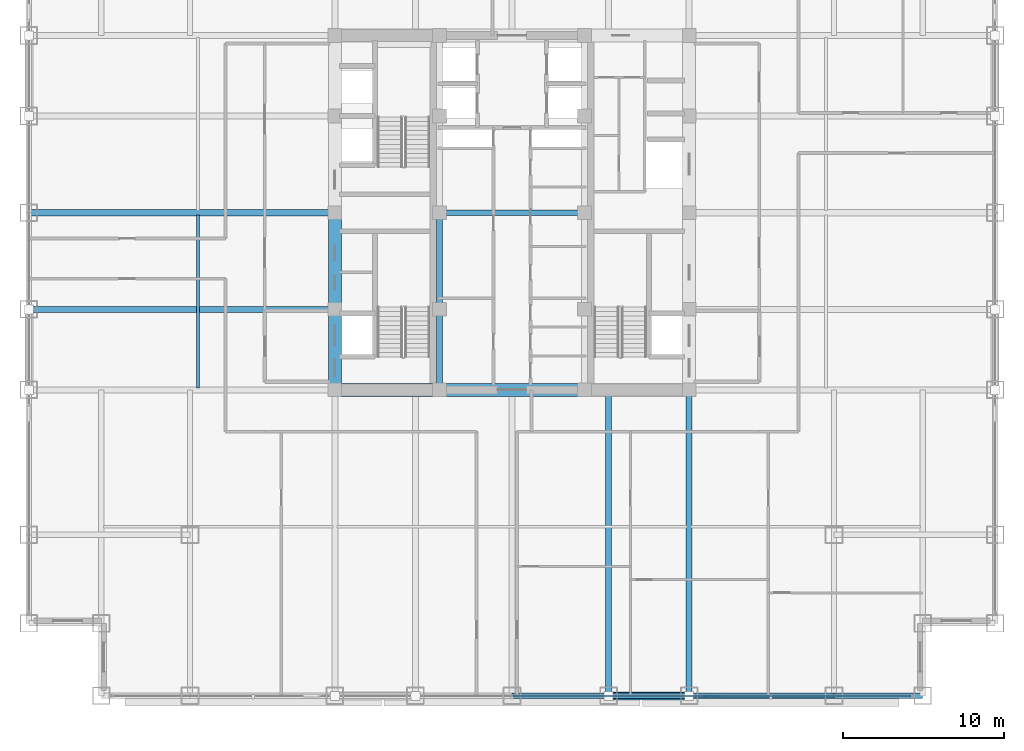
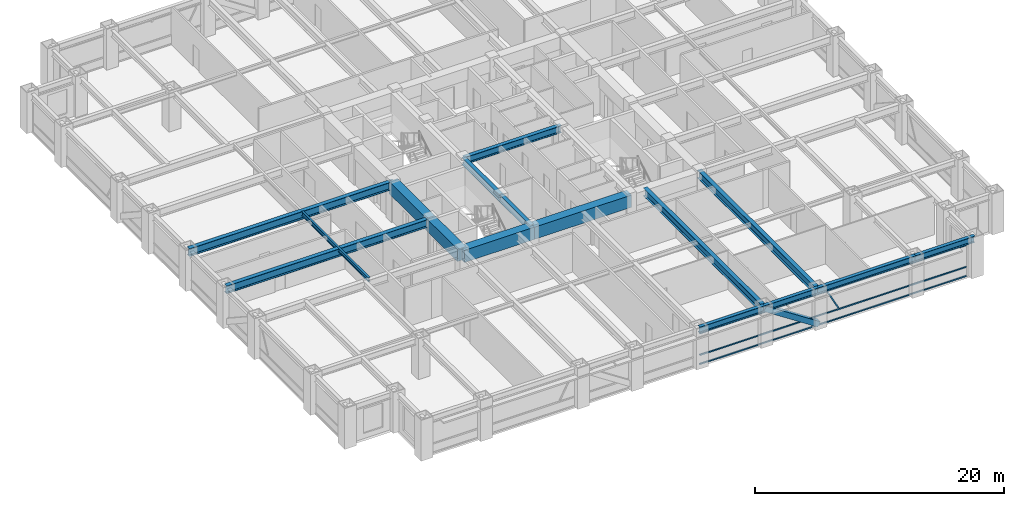
# One storey, part 7 of 28: 16 beams, 5 members, 1 element without a shape of its own.
"""IFC4 building model written with IfcOpenShell, lengths in metres."""

from ifc_helpers import new_model, si_unit, direction, frame, origin, origin_2d, place, context, subcontext, project, spatial, rectangle, hollow_rectangle, i_section, extrude, source, transform, mapped, material, material_profile, profile_set, type_object, element, aggregate, save


model = new_model("IFC4")

# Units and contexts
model_context = context("Model", 3, precision=1e-05, world=origin(), true_north=direction((0.0, 1.0)))
body_context = subcontext(model_context, "Body", "Model", "MODEL_VIEW")
ifc_project = project(units=[si_unit("LENGTHUNIT", "METRE"), si_unit("AREAUNIT", "SQUARE_METRE"), si_unit("VOLUMEUNIT", "CUBIC_METRE"), si_unit("PLANEANGLEUNIT", "RADIAN"), si_unit("MASSUNIT", "GRAM", prefix="KILO")], contexts=[model_context])

# Site, building, storey
site_placement = place(None, origin())
site = spatial("IfcSite", under=ifc_project, at=site_placement, CompositionType="ELEMENT")
building_placement = place(site_placement, origin())
building = spatial("IfcBuilding", under=site, at=building_placement, Name="Khorayat Bourse Tower", CompositionType="ELEMENT")
storey_placement = place(building_placement, frame((0.0, 0.0, 187.10009765625)))
storey = spatial("IfcBuildingStorey", under=building, at=storey_placement, Name="L43", CompositionType="ELEMENT", Elevation=187.10009765625)

# Beams
ifc_material_1 = material(Name="Concrete C72/90", Category="concrete")
ifc_material_profile_1 = material_profile(ifc_material_1, rectangle(XDim=0.800048828125, YDim=1.199951171875, at=origin_2d()), Name="RC 800x1200")
ifc_profile_set_1 = profile_set([ifc_material_profile_1], Name="Concrete C72/90")
beam_type_1 = type_object("IfcBeamType", Name="BM-COUP-1200", PredefinedType="BEAM", material=ifc_profile_set_1)
shared_shape_1 = source(origin(), body_context, "Body", "SweptSolid", [
    extrude(rectangle(XDim=0.800048828125, YDim=1.199951171875, at=origin_2d()), origin(), (0.0, 0.0, 1.0), 5.0),
])
beam_1_placement = place(storey_placement, frame((-11.0, -11.0, 3.179931640625), z_axis=(0.0, 1.0, 0.0), x_axis=(-1.0, 0.0, 0.0)))
element("IfcBeam", 1, at=beam_1_placement, inside=storey, type_object=beam_type_1, Name="L43 BM-COUP-1200 BM-L43-CRX-01", PredefinedType="BEAM", context=body_context, shape_type="MappedRepresentation", body=[
    mapped(shared_shape_1, transform((0.0, 0.0, 0.0), scale=1.0)),
])
shared_shape_2 = source(origin(), body_context, "Body", "SweptSolid", [
    extrude(rectangle(XDim=0.800048828125, YDim=1.199951171875, at=origin_2d()), origin(), (0.0, 0.0, 1.0), 6.0),
])
beam_2_placement = place(storey_placement, frame((-11.0, -6.0, 3.179931640625), z_axis=(0.0, 1.0, 0.0), x_axis=(-1.0, 0.0, 0.0)))
element("IfcBeam", 2, at=beam_2_placement, inside=storey, type_object=beam_type_1, Name="L43 BM-COUP-1200 BM-L43-CRX-02", PredefinedType="BEAM", context=body_context, shape_type="MappedRepresentation", body=[
    mapped(shared_shape_2, transform((0.0, 0.0, 0.0), scale=1.0)),
])
ifc_material_2 = material(Name="Steel ASTM A992 Grade 50", Category="steel")
ifc_material_profile_2 = material_profile(ifc_material_2, i_section(OverallWidth=0.35498046875, OverallDepth=0.695068359375, WebThickness=0.015380859375, FlangeThickness=0.02490234375, FilletRadius=0.01806640625, at=origin_2d()), Name="W690X217")
ifc_profile_set_2 = profile_set([ifc_material_profile_2], Name="Steel ASTM A992 Grade 50")
beam_type_2 = type_object("IfcBeamType", Name="BM-GIRD-690", PredefinedType="BEAM", material=ifc_profile_set_2)
shared_shape_3 = source(origin(), body_context, "Body", "SweptSolid", [
    extrude(i_section(OverallWidth=0.35498046875, OverallDepth=0.695068359375, WebThickness=0.015380859375, FlangeThickness=0.02490234375, FilletRadius=0.01806640625, at=origin_2d()), origin(), (0.0, 0.0, 1.0), 5.0),
])
beam_3_placement = place(storey_placement, frame((-4.5, -11.0, 3.432373046875), z_axis=(0.0, 1.0, 0.0), x_axis=(-1.0, 0.0, 0.0)))
element("IfcBeam", 3, at=beam_3_placement, inside=storey, type_object=beam_type_2, Name="L43 BM-GIRD-690 BM-L43-CRX-05", PredefinedType="BEAM", context=body_context, shape_type="MappedRepresentation", body=[
    mapped(shared_shape_3, transform((0.0, 0.0, 0.0), scale=1.0)),
])
shared_shape_4 = source(origin(), body_context, "Body", "SweptSolid", [
    extrude(i_section(OverallWidth=0.35498046875, OverallDepth=0.695068359375, WebThickness=0.015380859375, FlangeThickness=0.02490234375, FilletRadius=0.01806640625, at=origin_2d()), origin(), (0.0, 0.0, 1.0), 6.0),
])
beam_4_placement = place(storey_placement, frame((-4.5, -6.0, 3.432373046875), z_axis=(0.0, 1.0, 0.0), x_axis=(-1.0, 0.0, 0.0)))
element("IfcBeam", 4, at=beam_4_placement, inside=storey, type_object=beam_type_2, Name="L43 BM-GIRD-690 BM-L43-CRX-06", PredefinedType="BEAM", context=body_context, shape_type="MappedRepresentation", body=[
    mapped(shared_shape_4, transform((0.0, 0.0, 0.0), scale=1.0)),
])
shared_shape_5 = source(origin(), body_context, "Body", "SweptSolid", [
    extrude(rectangle(XDim=0.800048828125, YDim=1.199951171875, at=origin_2d()), origin(), (0.0, 0.0, 1.0), 6.5),
])
beam_5_placement = place(storey_placement, frame((-11.0, -11.0, 3.179931640625), z_axis=(1.0, 0.0, 0.0), x_axis=(0.0, 1.0, 0.0)))
element("IfcBeam", 5, at=beam_5_placement, inside=storey, type_object=beam_type_1, Name="L43 BM-COUP-1200 BM-L43-CRY-17", PredefinedType="BEAM", context=body_context, shape_type="MappedRepresentation", body=[
    mapped(shared_shape_5, transform((0.0, 0.0, 0.0), scale=1.0)),
])
shared_shape_6 = source(origin(), body_context, "Body", "SweptSolid", [
    extrude(rectangle(XDim=0.800048828125, YDim=1.199951171875, at=origin_2d()), origin(), (0.0, 0.0, 1.0), 9.0),
])
beam_6_placement = place(storey_placement, frame((-4.5, -11.0, 3.179931640625), z_axis=(1.0, 0.0, 0.0), x_axis=(0.0, 1.0, 0.0)))
element("IfcBeam", 6, at=beam_6_placement, inside=storey, type_object=beam_type_1, Name="L43 BM-COUP-1200 BM-L43-CRY-18", PredefinedType="BEAM", context=body_context, shape_type="MappedRepresentation", body=[
    mapped(shared_shape_6, transform((0.0, 0.0, 0.0), scale=1.0)),
])
shared_shape_7 = source(origin(), body_context, "Body", "SweptSolid", [
    extrude(i_section(OverallWidth=0.35498046875, OverallDepth=0.695068359375, WebThickness=0.015380859375, FlangeThickness=0.02490234375, FilletRadius=0.01806640625, at=origin_2d()), origin(), (0.0, 0.0, 1.0), 9.0),
])
beam_7_placement = place(storey_placement, frame((-4.5, 0.0, 3.432373046875), z_axis=(1.0, 0.0, 0.0), x_axis=(0.0, 1.0, 0.0)))
element("IfcBeam", 7, at=beam_7_placement, inside=storey, type_object=beam_type_2, Name="L43 BM-GIRD-690 BM-L43-CRY-23", PredefinedType="BEAM", context=body_context, shape_type="MappedRepresentation", body=[
    mapped(shared_shape_7, transform((0.0, 0.0, 0.0), scale=1.0)),
])
ifc_material_profile_3 = material_profile(ifc_material_2, i_section(OverallWidth=0.381103515625, OverallDepth=0.77294921875, WebThickness=0.0166015625, FlangeThickness=0.027587890625, FilletRadius=0.01806640625, at=origin_2d()), Name="W760X257")
ifc_profile_set_3 = profile_set([ifc_material_profile_3], Name="Steel ASTM A992 Grade 50")
beam_type_3 = type_object("IfcBeamType", Name="BM-GIRD-760", PredefinedType="BEAM", material=ifc_profile_set_3)
shared_shape_8 = source(origin(), body_context, "Body", "SweptSolid", [
    extrude(i_section(OverallWidth=0.381103515625, OverallDepth=0.77294921875, WebThickness=0.0166015625, FlangeThickness=0.027587890625, FilletRadius=0.01806640625, at=origin_2d()), origin(), (0.0, 0.0, 1.0), 19.0),
])
for number, where, z_axis, x_axis, name in (
    (8, (6.0, -30.0, 3.393310546875), (0.0, 1.0, 0.0), (-1.0, 0.0, 0.0), "L43 BM-GIRD-760 BM-L43-RADY-071"),
    (9, (11.0, -30.0, 3.393310546875), (0.0, 1.0, 0.0), (-1.0, 0.0, 0.0), "L43 BM-GIRD-760 BM-L43-RADY-073"),
    (10, (-30.0, -6.0, 3.393310546875), (1.0, 0.0, 0.0), (0.0, 1.0, 0.0), "L43 BM-GIRD-760 BM-L43-RADX-077"),
    (11, (-30.0, 0.0, 3.393310546875), (1.0, 0.0, 0.0), (0.0, 1.0, 0.0), "L43 BM-GIRD-760 BM-L43-RADX-079"),
):
    element("IfcBeam", number, at=place(storey_placement, frame(where, z_axis=z_axis, x_axis=x_axis)), inside=storey, type_object=beam_type_3, Name=name, PredefinedType="BEAM", context=body_context, shape_type="MappedRepresentation", body=[
        mapped(shared_shape_8, transform((0.0, 0.0, 0.0), scale=1.0)),
    ])
ifc_material_profile_4 = material_profile(ifc_material_2, i_section(OverallWidth=0.180908203125, OverallDepth=0.4169921875, WebThickness=0.010986328125, FlangeThickness=0.018310546875, FilletRadius=0.011962890625, at=origin_2d()), Name="W410X85")
ifc_profile_set_4 = profile_set([ifc_material_profile_4], Name="Steel ASTM A992 Grade 50")
beam_type_4 = type_object("IfcBeamType", Name="BM-JOIST-410", PredefinedType="JOIST", material=ifc_profile_set_4)
shared_shape_9 = source(origin(), body_context, "Body", "SweptSolid", [
    extrude(i_section(OverallWidth=0.180908203125, OverallDepth=0.4169921875, WebThickness=0.010986328125, FlangeThickness=0.018310546875, FilletRadius=0.011962890625, at=origin_2d()), origin(), (0.0, 0.0, 1.0), 10.740234375),
])
beam_8_placement = place(storey_placement, frame((-19.5, -10.8701171875, 3.5712890625), z_axis=(0.0, 1.0, 0.0), x_axis=(-1.0, 0.0, 0.0)))
element("IfcBeam", 12, at=beam_8_placement, inside=storey, type_object=beam_type_4, Name="L43 BM-JOIST-410 BM-L43-JSTY-102", PredefinedType="JOIST", context=body_context, shape_type="MappedRepresentation", body=[
    mapped(shared_shape_9, transform((0.0, 0.0, 0.0), scale=1.0)),
])
ifc_material_profile_5 = material_profile(ifc_material_2, i_section(OverallWidth=0.324951171875, OverallDepth=0.615966796875, WebThickness=0.013916015625, FlangeThickness=0.021484375, FilletRadius=0.01611328125, at=origin_2d()), Name="W610X174")
ifc_profile_set_5 = profile_set([ifc_material_profile_5], Name="Steel ASTM A992 Grade 50")
beam_type_5 = type_object("IfcBeamType", Name="BM-SPAN-610", PredefinedType="SPANDREL", material=ifc_profile_set_5)
shared_shape_10 = source(origin(), body_context, "Body", "SweptSolid", [
    extrude(i_section(OverallWidth=0.324951171875, OverallDepth=0.615966796875, WebThickness=0.013916015625, FlangeThickness=0.021484375, FilletRadius=0.01611328125, at=origin_2d()), origin(), (0.0, 0.0, 1.0), 5.5),
])
beam_9_placement = place(storey_placement, frame((20.0, -30.0, 3.471923828125), z_axis=(1.0, 0.0, 0.0), x_axis=(0.0, 1.0, 0.0)))
element("IfcBeam", 13, at=beam_9_placement, inside=storey, type_object=beam_type_5, Name="L43 BM-SPAN-610 BM-L43-SPN-031", PredefinedType="SPANDREL", context=body_context, shape_type="MappedRepresentation", body=[
    mapped(shared_shape_10, transform((0.0, 0.0, 0.0), scale=1.0)),
])
shared_shape_11 = source(origin(), body_context, "Body", "SweptSolid", [
    extrude(i_section(OverallWidth=0.324951171875, OverallDepth=0.615966796875, WebThickness=0.013916015625, FlangeThickness=0.021484375, FilletRadius=0.01611328125, at=origin_2d()), origin(), (0.0, 0.0, 1.0), 9.0),
])
beam_10_placement = place(storey_placement, frame((11.0, -30.0, 3.471923828125), z_axis=(1.0, 0.0, 0.0), x_axis=(0.0, 1.0, 0.0)))
element("IfcBeam", 14, at=beam_10_placement, inside=storey, type_object=beam_type_5, Name="L43 BM-SPAN-610 BM-L43-SPN-030", PredefinedType="SPANDREL", context=body_context, shape_type="MappedRepresentation", body=[
    mapped(shared_shape_11, transform((0.0, 0.0, 0.0), scale=1.0)),
])
shared_shape_12 = source(origin(), body_context, "Body", "SweptSolid", [
    extrude(i_section(OverallWidth=0.324951171875, OverallDepth=0.615966796875, WebThickness=0.013916015625, FlangeThickness=0.021484375, FilletRadius=0.01611328125, at=origin_2d()), origin(), (0.0, 0.0, 1.0), 5.0),
])
beam_11_placement = place(storey_placement, frame((6.0, -30.0, 3.471923828125), z_axis=(1.0, 0.0, 0.0), x_axis=(0.0, 1.0, 0.0)))
element("IfcBeam", 15, at=beam_11_placement, inside=storey, type_object=beam_type_5, Name="L43 BM-SPAN-610 BM-L43-SPN-029", PredefinedType="SPANDREL", context=body_context, shape_type="MappedRepresentation", body=[
    mapped(shared_shape_12, transform((0.0, 0.0, 0.0), scale=1.0)),
])
shared_shape_13 = source(origin(), body_context, "Body", "SweptSolid", [
    extrude(i_section(OverallWidth=0.324951171875, OverallDepth=0.615966796875, WebThickness=0.013916015625, FlangeThickness=0.021484375, FilletRadius=0.01611328125, at=origin_2d()), origin(), (0.0, 0.0, 1.0), 6.0),
])
beam_12_placement = place(storey_placement, frame((0.0, -30.0, 3.471923828125), z_axis=(1.0, 0.0, 0.0), x_axis=(0.0, 1.0, 0.0)))
element("IfcBeam", 16, at=beam_12_placement, inside=storey, type_object=beam_type_5, Name="L43 BM-SPAN-610 BM-L43-SPN-028", PredefinedType="SPANDREL", context=body_context, shape_type="MappedRepresentation", body=[
    mapped(shared_shape_13, transform((0.0, 0.0, 0.0), scale=1.0)),
])

# Member
ifc_material_3 = material(Name="Steel EN 10025-4 S460M", Category="steel")
ifc_material_profile_6 = material_profile(ifc_material_3, hollow_rectangle(XDim=0.5, YDim=0.5, WallThickness=0.028076171875, at=origin_2d()), Name="HSS 500x500x28")
ifc_profile_set_6 = profile_set([ifc_material_profile_6], Name="Steel EN 10025-4 S460M")
member_type_1 = type_object("IfcMemberType", Name="MBR-TUBE-500", PredefinedType="BRACE", material=ifc_profile_set_6)
shared_shape_14 = source(origin(), body_context, "Body", "SweptSolid", [
    extrude(hollow_rectangle(XDim=0.5, YDim=0.5, WallThickness=0.028076171875, at=origin_2d()), origin(), (0.0, 0.0, 1.0), 5.979736328125),
])
member_1_placement = place(storey_placement, frame((6.0, -30.0, 3.52978515625), z_axis=(0.836160261256, 0.0, -0.548485202623), x_axis=(0.0, 1.0, 0.0)))
element("IfcMember", 17, at=member_1_placement, inside=storey, type_object=member_type_1, Name="L43 Perimeter Tube Brace 02", PredefinedType="BRACE", context=body_context, shape_type="MappedRepresentation", body=[
    mapped(shared_shape_14, transform((0.0, 0.0, 0.0), scale=1.0)),
])

# Curtain wall, members
ifc_material_4 = material(Name="Aluminium EN AW-6063 T6", Category="aluminium")
curtain_wall_type = type_object("IfcCurtainWallType", Name="CW-SYS-03", PredefinedType="NOTDEFINED", material=ifc_material_4)
curtain_wall_placement = place(storey_placement, origin())
curtain_wall = element("IfcCurtainWall", 18, at=curtain_wall_placement, inside=storey, type_object=curtain_wall_type, Name="L43 Curtain Wall CW-L43-S1", PredefinedType="NOTDEFINED")
ifc_material_profile_7 = material_profile(ifc_material_4, hollow_rectangle(XDim=0.1201171875, YDim=0.1201171875, WallThickness=0.0048828125, at=origin_2d()), Name="ALU 120x120x5")
ifc_profile_set_7 = profile_set([ifc_material_profile_7], Name="Aluminium EN AW-6063 T6")
member_type_2 = type_object("IfcMemberType", Name="CWM-DIAG-120", PredefinedType="MULLION", material=ifc_profile_set_7)
shared_shape_15 = source(origin(), body_context, "Body", "SweptSolid", [
    extrude(hollow_rectangle(XDim=0.1201171875, YDim=0.1201171875, WallThickness=0.0048828125, at=origin_2d()), origin(), (0.0, 0.0, 1.0), 2.079345703125),
])
member_2_placement = place(storey_placement, frame((12.904296875, -30.0, 1.08984375), z_axis=(-0.465760949701, 0.0, 0.884910581773), x_axis=(0.0, -1.0, 0.0)))
member_2 = element("IfcMember", 19, at=member_2_placement, type_object=member_type_2, Name="CW-L43-S1 Faceted Diagonal Mullion 2", PredefinedType="MULLION", context=body_context, shape_type="MappedRepresentation", body=[
    mapped(shared_shape_15, transform((0.0, 0.0, 0.0), scale=1.0)),
])
ifc_material_profile_8 = material_profile(ifc_material_4, hollow_rectangle(XDim=0.1201171875, YDim=0.1201171875, WallThickness=0.0048828125, at=origin_2d()), Name="ALU 120x120x5")
ifc_profile_set_8 = profile_set([ifc_material_profile_8], Name="Aluminium EN AW-6063 T6")
member_type_3 = type_object("IfcMemberType", Name="CWT-HORZ-120", PredefinedType="USERDEFINED", material=ifc_profile_set_8)
shared_shape_16 = source(origin(), body_context, "Body", "SweptSolid", [
    extrude(hollow_rectangle(XDim=0.1201171875, YDim=0.1201171875, WallThickness=0.0048828125, at=origin_2d()), origin(), (0.0, 0.0, 1.0), 24.719970703125),
])
member_3_placement = place(storey_placement, frame((0.06005859375, -30.0, 0.059814453125), z_axis=(1.0, 0.0, 0.0), x_axis=(0.0, 1.0, 0.0)))
member_3 = element("IfcMember", 20, at=member_3_placement, type_object=member_type_3, Name="CW-L43-S1 Horizontal Transom 2-1", ObjectType="TRANSOM", PredefinedType="USERDEFINED", context=body_context, shape_type="MappedRepresentation", body=[
    mapped(shared_shape_16, transform((0.0, 0.0, 0.0), scale=1.0)),
])
member_4_placement = place(storey_placement, frame((0.06005859375, -30.0, 0.949951171875), z_axis=(1.0, 0.0, 0.0), x_axis=(0.0, 1.0, 0.0)))
member_4 = element("IfcMember", 21, at=member_4_placement, type_object=member_type_3, Name="CW-L43-S1 Horizontal Transom 2-2", ObjectType="TRANSOM", PredefinedType="USERDEFINED", context=body_context, shape_type="MappedRepresentation", body=[
    mapped(shared_shape_16, transform((0.0, 0.0, 0.0), scale=1.0)),
])
member_5_placement = place(storey_placement, frame((0.06005859375, -30.0, 3.06982421875), z_axis=(1.0, 0.0, 0.0), x_axis=(0.0, 1.0, 0.0)))
member_5 = element("IfcMember", 22, at=member_5_placement, type_object=member_type_3, Name="CW-L43-S1 Horizontal Transom 2-3", ObjectType="TRANSOM", PredefinedType="USERDEFINED", context=body_context, shape_type="MappedRepresentation", body=[
    mapped(shared_shape_16, transform((0.0, 0.0, 0.0), scale=1.0)),
])
aggregate(curtain_wall, [member_3, member_4, member_5, member_2])

save(model, "model.ifc")
